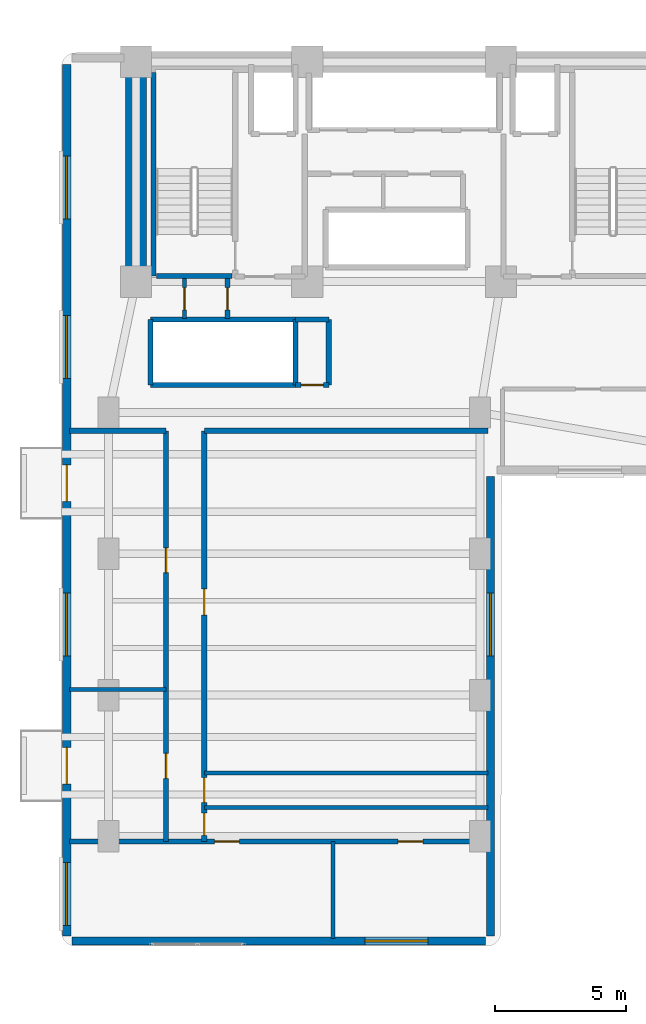
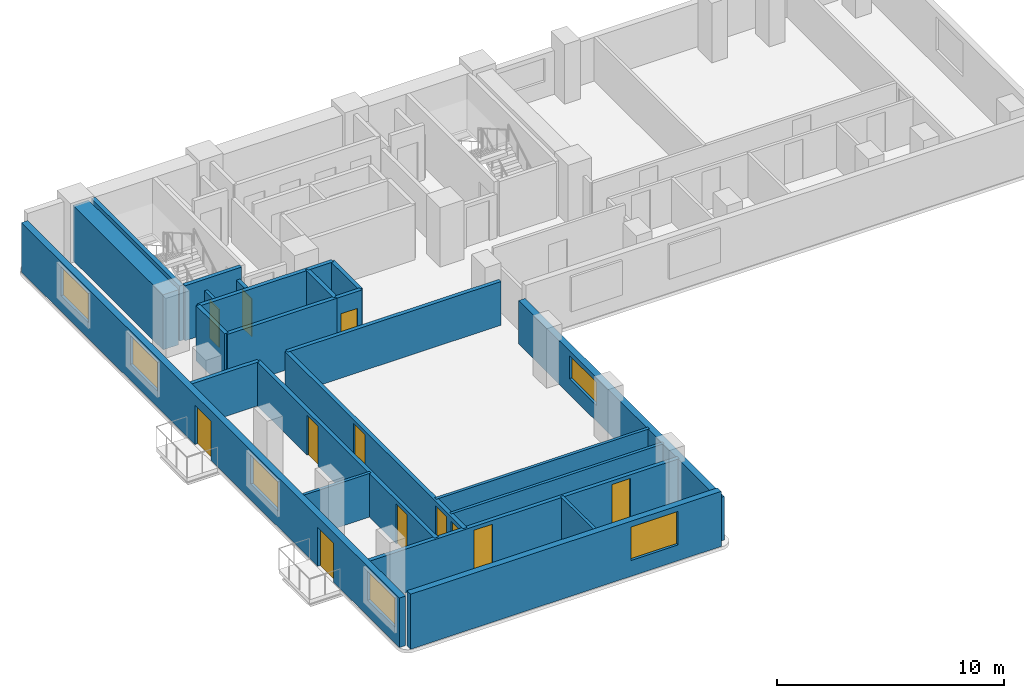
# One storey, part 8 of 15: 24 walls, 12 doors, 6 windows, 18 openings.
"""IFC4 building model written with IfcOpenShell, lengths in metres."""

import ifcopenshell
import ifcopenshell.guid

model = None  # the IFC model being written
_history = None  # IfcOwnerHistory: only IFC2X3 demands one
_inside = {}  # id of a spatial element -> (the spatial element, [elements in it])
_under = {}  # id of a project, library or spatial element -> (it, [spatial elements below it])
_declared = {}  # id of a project -> (the project, [libraries it declares])
_typed = {}  # id of a type object -> (the type object, [elements of that type])
_made_of = {}  # id of a material, layer set ... -> (it, [elements and type objects made of it])


def new_model(schema):
    """Start an empty IFC model of exactly this schema.

    Asked for "IFC4X3", IfcOpenShell would pick the latest addendum, in which some entities
    have other attributes; the version numbers below select the first issue.
    IFC2X3 requires an IfcOwnerHistory on every rooted entity: one is made here for all.
    """
    global model, _history
    if schema == "IFC4X3":
        model = ifcopenshell.file(schema_version=(4, 3, 0, 0))
    else:
        model = ifcopenshell.file(schema=schema)
    _inside.clear()
    _under.clear()
    _declared.clear()
    _typed.clear()
    _made_of.clear()
    _history = None
    if model.schema == "IFC2X3":
        org = make("IfcOrganization", Name="unknown")
        user = make(
            "IfcPersonAndOrganization",
            ThePerson=make("IfcPerson", FamilyName="unknown"),
            TheOrganization=org,
        )
        app = make(
            "IfcApplication",
            ApplicationDeveloper=org,
            Version="unknown",
            ApplicationFullName="unknown",
            ApplicationIdentifier="unknown",
        )
        _history = make(
            "IfcOwnerHistory",
            OwningUser=user,
            OwningApplication=app,
            ChangeAction="ADDED",
            CreationDate=0,
        )
    return model


def make(cls, **values):
    """One entity of the class cls with the attributes given. An attribute that is None is left unset."""
    return model.create_entity(
        cls, **{name: value for name, value in values.items() if value is not None}
    )


def rooted(cls, **values):
    """An entity with a GlobalId (a new one), such as an element, a storey or a relation."""
    return make(cls, GlobalId=ifcopenshell.guid.new(), OwnerHistory=_history, **values)


def si_unit(unit_type, name, prefix=None):
    """IfcSIUnit, for example si_unit("LENGTHUNIT", "METRE", prefix="MILLI")."""
    return make("IfcSIUnit", UnitType=unit_type, Prefix=prefix, Name=name)


def assignment(units):
    """IfcUnitAssignment: the units of a project."""
    return None if units is None else make("IfcUnitAssignment", Units=units)


def point(xyz):
    """IfcCartesianPoint."""
    return None if xyz is None else make("IfcCartesianPoint", Coordinates=xyz)


def direction(xyz):
    """IfcDirection."""
    return None if xyz is None else make("IfcDirection", DirectionRatios=xyz)


def frame(location, z_axis=None, x_axis=None):
    """IfcAxis2Placement3D, a coordinate frame: its origin and axes. An axis left out is left unset."""
    return make(
        "IfcAxis2Placement3D",
        Location=point(location),
        Axis=direction(z_axis),
        RefDirection=direction(x_axis),
    )


def frame_2d(location, x_axis=None):
    """IfcAxis2Placement2D, a coordinate frame in the plane: its origin and x axis."""
    return make(
        "IfcAxis2Placement2D", Location=point(location), RefDirection=direction(x_axis)
    )


def origin():
    """The frame at (0, 0, 0) with its axes left unset."""
    return frame((0.0, 0.0, 0.0))


def place(relative_to, where):
    """IfcLocalPlacement: puts the frame where relative to a parent placement (None: the world)."""
    return make(
        "IfcLocalPlacement", PlacementRelTo=relative_to, RelativePlacement=where
    )


def context(
    kind, dimensions, precision=None, world=None, true_north=None, identifier=None
):
    """IfcGeometricRepresentationContext, for example the 3D "Model" context."""
    return make(
        "IfcGeometricRepresentationContext",
        ContextIdentifier=identifier,
        ContextType=kind,
        CoordinateSpaceDimension=dimensions,
        Precision=precision,
        WorldCoordinateSystem=world,
        TrueNorth=true_north,
    )


def subcontext(parent, identifier, kind, view, scale=None):
    """IfcGeometricRepresentationSubContext, for example "Body" below "Model"."""
    return make(
        "IfcGeometricRepresentationSubContext",
        ContextIdentifier=identifier,
        ContextType=kind,
        ParentContext=parent,
        TargetScale=scale,
        TargetView=view,
    )


def project(units=None, contexts=None):
    """IfcProject with its units and contexts."""
    return rooted(
        "IfcProject",
        Name="project",
        RepresentationContexts=contexts,
        UnitsInContext=assignment(units),
    )


def spatial(cls, under=None, at=None, **own):
    """A site, building, storey or space (cls), placed at a placement, below another one or the project."""
    s = rooted(cls, ObjectPlacement=at, **own)
    if under is not None:
        _under.setdefault(under.id(), (under, []))[1].append(s)
    return s


def profile(cls, at=None, kind="AREA", **sizes):
    """A parametric profile (cls). Its sizes go by their IFC names, for example OverallWidth=200.0."""
    return make(cls, ProfileType=kind, Position=at, **sizes)


def rectangle(**sizes):
    """IfcRectangleProfileDef."""
    return profile("IfcRectangleProfileDef", **sizes)


def extrude(swept, where, along, depth):
    """IfcExtrudedAreaSolid: the profile swept, set in the frame where, extruded along a direction by depth."""
    return make(
        "IfcExtrudedAreaSolid",
        SweptArea=swept,
        Position=where,
        ExtrudedDirection=direction(along),
        Depth=depth,
    )


def shape(context_of_items, identifier, shape_type, items):
    """IfcShapeRepresentation: the items that make up one representation, for example the "Body"."""
    return make(
        "IfcShapeRepresentation",
        ContextOfItems=context_of_items,
        RepresentationIdentifier=identifier,
        RepresentationType=shape_type,
        Items=items,
    )


def material(Name=None, Category=None):
    """IfcMaterial."""
    return make("IfcMaterial", Name=Name, Category=Category)


def layer(
    of_material, thickness, ventilated=None, Name=None, Category=None, Priority=None
):
    """IfcMaterialLayer: one layer of a wall or slab, of a material (None: an air gap)."""
    return make(
        "IfcMaterialLayer",
        Material=of_material,
        LayerThickness=thickness,
        IsVentilated=ventilated,
        Name=Name,
        Category=Category,
        Priority=Priority,
    )


def layer_set(layers, Name=None):
    """IfcMaterialLayerSet."""
    return make("IfcMaterialLayerSet", MaterialLayers=layers, LayerSetName=Name)


def made_of(thing, what):
    """Note that an element or type object is made of a material, layer set ...; save() writes the relation."""
    if what is not None:
        _made_of.setdefault(what.id(), (what, []))[1].append(thing)
    return thing


def type_object(cls, material=None, **own):
    """A type object (cls), such as IfcWallType, which elements share."""
    return made_of(rooted(cls, **own), material)


def element(
    cls,
    number,
    at=None,
    inside=None,
    cuts=None,
    type_object=None,
    material=None,
    context=None,
    identifier="Body",
    shape_type=None,
    held_by="IfcProductDefinitionShape",
    body=None,
    shapes=None,
    **own,
):
    """One element of the class cls, such as IfcWall. Its Tag is "e" and its number.

    at: its placement. inside: the storey or other place that contains it. cuts: it is an
    opening in that element (IfcRelVoidsElement). A single representation is given by context,
    identifier, shape_type and body (its items); several are given by shapes. held_by: the class
    of the entity that holds the representations. save() writes the other relations.
    """
    e = rooted(cls, Tag="e%d" % number, ObjectPlacement=at, **own)
    if body is not None:
        shapes = [shape(context, identifier, shape_type, body)]
    if shapes is not None:
        e.Representation = make(held_by, Representations=shapes)
    if inside is not None:
        _inside.setdefault(inside.id(), (inside, []))[1].append(e)
    if cuts is not None:
        rooted(
            "IfcRelVoidsElement", RelatingBuildingElement=cuts, RelatedOpeningElement=e
        )
    if type_object is not None:
        _typed.setdefault(type_object.id(), (type_object, []))[1].append(e)
    return made_of(e, material)


def fill(opening, filler):
    """IfcRelFillsElement: the door or window that sits in an opening."""
    return rooted(
        "IfcRelFillsElement",
        RelatingOpeningElement=opening,
        RelatedBuildingElement=filler,
    )


def aggregate(whole, parts):
    """IfcRelAggregates: a whole, such as a stair, and the parts it consists of."""
    return rooted("IfcRelAggregates", RelatingObject=whole, RelatedObjects=parts)


def save(model, path):
    """Write the relations noted so far, then the file.

    IfcRelAggregates (storeys below a building ...), IfcRelContainedInSpatialStructure (elements
    in a storey), IfcRelDefinesByType, IfcRelAssociatesMaterial and IfcRelDeclares: one each for
    every whole, place, type object, material and project.
    """
    for whole, parts in _under.values():
        aggregate(whole, parts)
    for where, things in _inside.values():
        rooted(
            "IfcRelContainedInSpatialStructure",
            RelatedElements=things,
            RelatingStructure=where,
        )
    for kind, things in _typed.values():
        rooted("IfcRelDefinesByType", RelatedObjects=things, RelatingType=kind)
    for what, things in _made_of.values():
        rooted("IfcRelAssociatesMaterial", RelatedObjects=things, RelatingMaterial=what)
    for by, libraries in _declared.values():
        rooted("IfcRelDeclares", RelatingContext=by, RelatedDefinitions=libraries)
    model.write(path)


model = new_model("IFC4")

# Units and contexts
model_context = context("Model", 3, precision=1e-05, world=origin(), true_north=direction((0.0, 1.0)))
body_context = subcontext(model_context, "Body", "Model", "MODEL_VIEW")
ifc_project = project(units=[si_unit("LENGTHUNIT", "METRE"), si_unit("AREAUNIT", "SQUARE_METRE"), si_unit("VOLUMEUNIT", "CUBIC_METRE"), si_unit("PLANEANGLEUNIT", "RADIAN"), si_unit("MASSUNIT", "GRAM", prefix="KILO")], contexts=[model_context])

# Site, building, storey
site_placement = place(None, origin())
site = spatial("IfcSite", under=ifc_project, at=site_placement, CompositionType="ELEMENT")
building_placement = place(site_placement, origin())
building = spatial("IfcBuilding", under=site, at=building_placement, Name="Kuzgunbayir Cultural Tower", CompositionType="ELEMENT")
storey_placement = place(building_placement, frame((0.0, 0.0, 72.39990234375)))
storey = spatial("IfcBuildingStorey", under=building, at=storey_placement, Name="L20", CompositionType="ELEMENT", Elevation=72.39990234375)

# Wall
ifc_material_1 = material(Name="Concrete C60/75", Category="concrete")
ifc_layer_1 = layer(ifc_material_1, 0.800048828125)
ifc_layer_set_1 = layer_set([ifc_layer_1], Name="Concrete C60/75")
wall_type_1 = type_object("IfcWallType", Name="WAL-CORE-800", PredefinedType="SHEAR", material=ifc_layer_set_1)
wall_1_placement = place(storey_placement, frame((6.449951171875, 33.800048828125, 0.0), z_axis=(0.0, 0.0, 1.0), x_axis=(0.0, 1.0, 0.0)))
element("IfcWall", 1, at=wall_1_placement, inside=storey, type_object=wall_type_1, Name="L20 T1 Core West Shear Wall", PredefinedType="SHEAR", context=body_context, shape_type="SweptSolid", body=[
    extrude(rectangle(XDim=7.949951171875, YDim=0.800048828125, at=frame_2d((3.97509765625, 0.0))), origin(), (0.0, 0.0, 1.0), 2.960205078125),
])

# Wall, opening, window
ifc_material_2 = material(Name="Travertine Buff Ashlar", Category="masonry")
ifc_layer_2 = layer(ifc_material_2, 0.320068359375)
ifc_layer_set_2 = layer_set([ifc_layer_2], Name="Travertine Buff Ashlar")
wall_type_2 = type_object("IfcWallType", Name="WAL-EXT-STONE-320", PredefinedType="STANDARD", material=ifc_layer_set_2)
wall_2_placement = place(storey_placement, frame((4.0, 8.60009765625, 0.0), z_axis=(0.0, 0.0, 1.0), x_axis=(1.0, 0.0, 0.0)))
wall_2 = element("IfcWall", 2, at=wall_2_placement, inside=storey, type_object=wall_type_2, Name="L20 Wing A South Limestone Wall", PredefinedType="STANDARD", context=body_context, shape_type="SweptSolid", body=[
    extrude(rectangle(XDim=15.800048828125, YDim=0.320068359375, at=frame_2d((7.89990234375, 0.0))), origin(), (0.0, 0.0, 1.0), 2.960205078125),
])
opening_1_placement = place(wall_2_placement, frame((11.199951171875, 0.0, 0.85009765625)))
opening_1 = element("IfcOpeningElement", 3, at=opening_1_placement, cuts=wall_2, Name="Opening WO-24", PredefinedType="OPENING", context=body_context, shape_type="SweptSolid", body=[
    extrude(rectangle(XDim=2.39990234375, YDim=1.800048828125, at=frame_2d((1.199951171875, 0.89990234375))), frame((0.0, 0.169921875, 0.0), z_axis=(0.0, -1.0, 0.0), x_axis=(1.0, 0.0, 0.0)), (0.0, 0.0, 1.0), 0.340087890625),
])
ifc_material_3 = material(Name="Solar-Control Triple Glazing", Category="glass")
window_type = type_object("IfcWindowType", Name="WIN-OFFICE-24", PartitioningType="SINGLE_PANEL", PredefinedType="WINDOW", material=ifc_material_3)
window_1_placement = place(opening_1_placement, origin())
window_1 = element("IfcWindow", 4, at=window_1_placement, inside=storey, type_object=window_type, Name="L20 WAS Facade Window 10", OverallHeight=1.800048828125, OverallWidth=2.39990234375, PartitioningType="SINGLE_PANEL", PredefinedType="WINDOW", context=body_context, shape_type="SweptSolid", body=[
    extrude(rectangle(XDim=2.39990234375, YDim=1.800048828125, at=frame_2d((1.199951171875, 0.89990234375))), frame((0.0, 0.030029296875, 0.0), z_axis=(0.0, -1.0, 0.0), x_axis=(1.0, 0.0, 0.0)), (0.0, 0.0, 1.0), 0.06005859375),
])
fill(opening_1, window_1)

# Wall, openings, doors, windows
wall_3_placement = place(storey_placement, frame((3.800048828125, 42.10009765625, 0.0), z_axis=(0.0, 0.0, 1.0), x_axis=(0.0, -1.0, 0.0)))
wall_3 = element("IfcWall", 5, at=wall_3_placement, inside=storey, type_object=wall_type_2, Name="L20 Wing A West Limestone Wall", PredefinedType="STANDARD", context=body_context, shape_type="SweptSolid", body=[
    extrude(rectangle(XDim=33.300048828125, YDim=0.320068359375, at=frame_2d((16.64990234375, 0.0))), origin(), (0.0, 0.0, 1.0), 2.66015625),
])
opening_2_placement = place(wall_3_placement, frame((26.10009765625, 0.0, 0.0)))
opening_2 = element("IfcOpeningElement", 6, at=opening_2_placement, cuts=wall_3, Name="Opening BD-15", PredefinedType="OPENING", context=body_context, shape_type="SweptSolid", body=[
    extrude(rectangle(XDim=1.39990234375, YDim=2.10009765625, at=frame_2d((0.699951171875, 1.050048828125))), frame((0.0, 0.169921875, 0.0), z_axis=(0.0, -1.0, 0.0), x_axis=(1.0, 0.0, 0.0)), (0.0, 0.0, 1.0), 0.340087890625),
])
opening_3_placement = place(wall_3_placement, frame((15.300048828125, 0.0, 0.0)))
opening_3 = element("IfcOpeningElement", 7, at=opening_3_placement, cuts=wall_3, Name="Opening BD-15", PredefinedType="OPENING", context=body_context, shape_type="SweptSolid", body=[
    extrude(rectangle(XDim=1.39990234375, YDim=2.10009765625, at=frame_2d((0.699951171875, 1.050048828125))), frame((0.0, 0.169921875, 0.0), z_axis=(0.0, -1.0, 0.0), x_axis=(1.0, 0.0, 0.0)), (0.0, 0.0, 1.0), 0.340087890625),
])
opening_4_placement = place(wall_3_placement, frame((30.5, 0.0, 0.85009765625)))
opening_4 = element("IfcOpeningElement", 8, at=opening_4_placement, cuts=wall_3, Name="Opening WO-24", PredefinedType="OPENING", context=body_context, shape_type="SweptSolid", body=[
    extrude(rectangle(XDim=2.39990234375, YDim=1.56005859375, at=frame_2d((1.199951171875, 0.780029296875))), frame((0.0, 0.169921875, 0.0), z_axis=(0.0, -1.0, 0.0), x_axis=(1.0, 0.0, 0.0)), (0.0, 0.0, 1.0), 0.340087890625),
])
opening_5_placement = place(wall_3_placement, frame((20.199951171875, 0.0, 0.85009765625)))
opening_5 = element("IfcOpeningElement", 9, at=opening_5_placement, cuts=wall_3, Name="Opening WO-24", PredefinedType="OPENING", context=body_context, shape_type="SweptSolid", body=[
    extrude(rectangle(XDim=2.39990234375, YDim=1.56005859375, at=frame_2d((1.199951171875, 0.780029296875))), frame((0.0, 0.169921875, 0.0), z_axis=(0.0, -1.0, 0.0), x_axis=(1.0, 0.0, 0.0)), (0.0, 0.0, 1.0), 0.340087890625),
])
opening_6_placement = place(wall_3_placement, frame((9.60009765625, 0.0, 0.85009765625)))
opening_6 = element("IfcOpeningElement", 10, at=opening_6_placement, cuts=wall_3, Name="Opening WO-24", PredefinedType="OPENING", context=body_context, shape_type="SweptSolid", body=[
    extrude(rectangle(XDim=2.39990234375, YDim=1.56005859375, at=frame_2d((1.199951171875, 0.780029296875))), frame((0.0, 0.169921875, 0.0), z_axis=(0.0, -1.0, 0.0), x_axis=(1.0, 0.0, 0.0)), (0.0, 0.0, 1.0), 0.340087890625),
])
opening_7_placement = place(wall_3_placement, frame((3.5, 0.0, 0.85009765625)))
opening_7 = element("IfcOpeningElement", 11, at=opening_7_placement, cuts=wall_3, Name="Opening WO-24", PredefinedType="OPENING", context=body_context, shape_type="SweptSolid", body=[
    extrude(rectangle(XDim=2.39990234375, YDim=1.56005859375, at=frame_2d((1.199951171875, 0.780029296875))), frame((0.0, 0.169921875, 0.0), z_axis=(0.0, -1.0, 0.0), x_axis=(1.0, 0.0, 0.0)), (0.0, 0.0, 1.0), 0.340087890625),
])
ifc_material_4 = material(Name="Thermally Broken Glazed Aluminium", Category="aluminium")
door_type_1 = type_object("IfcDoorType", Name="DR-BALCONY-150", OperationType="SLIDING_TO_RIGHT", PredefinedType="DOOR", material=ifc_material_4)
door_1_placement = place(opening_2_placement, origin())
door_1 = element("IfcDoor", 12, at=door_1_placement, inside=storey, type_object=door_type_1, Name="L20 West Balcony Sliding Door BAL-L20-WA1", OperationType="SLIDING_TO_RIGHT", OverallHeight=2.10009765625, OverallWidth=1.39990234375, PredefinedType="DOOR", context=body_context, shape_type="SweptSolid", body=[
    extrude(rectangle(XDim=1.39990234375, YDim=2.10009765625, at=frame_2d((0.699951171875, 1.050048828125))), frame((0.0, 0.02490234375, 0.0), z_axis=(0.0, -1.0, 0.0), x_axis=(1.0, 0.0, 0.0)), (0.0, 0.0, 1.0), 0.050048828125),
])
fill(opening_2, door_1)
door_2_placement = place(opening_3_placement, origin())
door_2 = element("IfcDoor", 13, at=door_2_placement, inside=storey, type_object=door_type_1, Name="L20 West Balcony Sliding Door BAL-L20-WA3", OperationType="SLIDING_TO_RIGHT", OverallHeight=2.10009765625, OverallWidth=1.39990234375, PredefinedType="DOOR", context=body_context, shape_type="SweptSolid", body=[
    extrude(rectangle(XDim=1.39990234375, YDim=2.10009765625, at=frame_2d((0.699951171875, 1.050048828125))), frame((0.0, 0.02490234375, 0.0), z_axis=(0.0, -1.0, 0.0), x_axis=(1.0, 0.0, 0.0)), (0.0, 0.0, 1.0), 0.050048828125),
])
fill(opening_3, door_2)
window_2_placement = place(opening_4_placement, origin())
window_2 = element("IfcWindow", 14, at=window_2_placement, inside=storey, type_object=window_type, Name="L20 WAW Facade Window 5", OverallHeight=1.56005859375, OverallWidth=2.39990234375, PartitioningType="SINGLE_PANEL", PredefinedType="WINDOW", context=body_context, shape_type="SweptSolid", body=[
    extrude(rectangle(XDim=2.39990234375, YDim=1.56005859375, at=frame_2d((1.199951171875, 0.780029296875))), frame((0.0, 0.030029296875, 0.0), z_axis=(0.0, -1.0, 0.0), x_axis=(1.0, 0.0, 0.0)), (0.0, 0.0, 1.0), 0.06005859375),
])
fill(opening_4, window_2)
window_3_placement = place(opening_5_placement, origin())
window_3 = element("IfcWindow", 15, at=window_3_placement, inside=storey, type_object=window_type, Name="L20 WAW Facade Window 6", OverallHeight=1.56005859375, OverallWidth=2.39990234375, PartitioningType="SINGLE_PANEL", PredefinedType="WINDOW", context=body_context, shape_type="SweptSolid", body=[
    extrude(rectangle(XDim=2.39990234375, YDim=1.56005859375, at=frame_2d((1.199951171875, 0.780029296875))), frame((0.0, 0.030029296875, 0.0), z_axis=(0.0, -1.0, 0.0), x_axis=(1.0, 0.0, 0.0)), (0.0, 0.0, 1.0), 0.06005859375),
])
fill(opening_5, window_3)
window_4_placement = place(opening_6_placement, origin())
window_4 = element("IfcWindow", 16, at=window_4_placement, inside=storey, type_object=window_type, Name="L20 WAW Facade Window 7", OverallHeight=1.56005859375, OverallWidth=2.39990234375, PartitioningType="SINGLE_PANEL", PredefinedType="WINDOW", context=body_context, shape_type="SweptSolid", body=[
    extrude(rectangle(XDim=2.39990234375, YDim=1.56005859375, at=frame_2d((1.199951171875, 0.780029296875))), frame((0.0, 0.030029296875, 0.0), z_axis=(0.0, -1.0, 0.0), x_axis=(1.0, 0.0, 0.0)), (0.0, 0.0, 1.0), 0.06005859375),
])
fill(opening_6, window_4)
window_5_placement = place(opening_7_placement, origin())
window_5 = element("IfcWindow", 17, at=window_5_placement, inside=storey, type_object=window_type, Name="L20 WAW Facade Window 8", OverallHeight=1.56005859375, OverallWidth=2.39990234375, PartitioningType="SINGLE_PANEL", PredefinedType="WINDOW", context=body_context, shape_type="SweptSolid", body=[
    extrude(rectangle(XDim=2.39990234375, YDim=1.56005859375, at=frame_2d((1.199951171875, 0.780029296875))), frame((0.0, 0.030029296875, 0.0), z_axis=(0.0, -1.0, 0.0), x_axis=(1.0, 0.0, 0.0)), (0.0, 0.0, 1.0), 0.06005859375),
])
fill(opening_7, window_5)

# Wall, opening, window
wall_4_placement = place(storey_placement, frame((20.0, 8.800048828125, 0.0), z_axis=(0.0, 0.0, 1.0), x_axis=(0.0, 1.0, 0.0)))
wall_4 = element("IfcWall", 18, at=wall_4_placement, inside=storey, type_object=wall_type_2, Name="L20 Wing A East Limestone Wall", PredefinedType="STANDARD", context=body_context, shape_type="SweptSolid", body=[
    extrude(rectangle(XDim=17.550048828125, YDim=0.320068359375, at=frame_2d((8.77490234375, 0.0))), origin(), (0.0, 0.0, 1.0), 2.35009765625),
])
opening_8_placement = place(wall_4_placement, frame((10.699951171875, 0.0, 0.85009765625)))
opening_8 = element("IfcOpeningElement", 19, at=opening_8_placement, cuts=wall_4, Name="Opening WO-24", PredefinedType="OPENING", context=body_context, shape_type="SweptSolid", body=[
    extrude(rectangle(XDim=2.39990234375, YDim=1.25, at=frame_2d((1.199951171875, 0.625))), frame((0.0, 0.169921875, 0.0), z_axis=(0.0, -1.0, 0.0), x_axis=(1.0, 0.0, 0.0)), (0.0, 0.0, 1.0), 0.340087890625),
])
window_6_placement = place(opening_8_placement, origin())
window_6 = element("IfcWindow", 20, at=window_6_placement, inside=storey, type_object=window_type, Name="L20 WAE Facade Window 9", OverallHeight=1.25, OverallWidth=2.39990234375, PartitioningType="SINGLE_PANEL", PredefinedType="WINDOW", context=body_context, shape_type="SweptSolid", body=[
    extrude(rectangle(XDim=2.39990234375, YDim=1.25, at=frame_2d((1.199951171875, 0.625))), frame((0.0, 0.030029296875, 0.0), z_axis=(0.0, -1.0, 0.0), x_axis=(1.0, 0.0, 0.0)), (0.0, 0.0, 1.0), 0.06005859375),
])
fill(opening_8, window_6)

# Wall, opening, door
ifc_material_5 = material(Name="Acoustic Double-Stud Drywall", Category="gypsum")
ifc_layer_3 = layer(ifc_material_5, 0.14990234375)
ifc_layer_set_3 = layer_set([ifc_layer_3], Name="Acoustic Double-Stud Drywall")
wall_type_3 = type_object("IfcWallType", Name="WAL-PART-ACOUSTIC-150", PredefinedType="PARTITIONING", material=ifc_layer_set_3)
wall_5_placement = place(storey_placement, frame((8.300048828125, 32.39990234375, 0.0), z_axis=(0.0, 0.0, 1.0), x_axis=(0.0, 1.0, 0.0)))
wall_5 = element("IfcWall", 21, at=wall_5_placement, inside=storey, type_object=wall_type_3, Name="L20 West Core Closet Divider", PredefinedType="PARTITIONING", context=body_context, shape_type="SweptSolid", body=[
    extrude(rectangle(XDim=1.52001953125, YDim=0.14990234375, at=frame_2d((0.760009765625, 0.0))), origin(), (0.0, 0.0, 1.0), 2.35009765625),
])
opening_9_placement = place(wall_5_placement, frame((0.320068359375, 0.0, 0.0)))
opening_9 = element("IfcOpeningElement", 22, at=opening_9_placement, cuts=wall_5, Name="Opening DR-RSR-60", PredefinedType="OPENING", context=body_context, shape_type="SweptSolid", body=[
    extrude(rectangle(XDim=0.85009765625, YDim=2.050048828125, at=frame_2d((0.425048828125, 1.02490234375))), frame((0.0, 0.0849609375, 0.0), z_axis=(0.0, -1.0, 0.0), x_axis=(1.0, 0.0, 0.0)), (0.0, 0.0, 1.0), 0.169921875),
])
ifc_material_6 = material(Name="Steel Access Leaf", Category="steel")
door_type_2 = type_object("IfcDoorType", Name="DR-RISER-60", OperationType="NOTDEFINED", PredefinedType="DOOR", material=ifc_material_6)
door_3_placement = place(opening_9_placement, origin())
door_3 = element("IfcDoor", 23, at=door_3_placement, inside=storey, type_object=door_type_2, Name="L20 Sub-Meter Closet Door", OperationType="SINGLE_SWING_RIGHT", OverallHeight=2.050048828125, OverallWidth=0.85009765625, PredefinedType="DOOR", context=body_context, shape_type="SweptSolid", body=[
    extrude(rectangle(XDim=0.85009765625, YDim=2.050048828125, at=frame_2d((0.425048828125, 1.02490234375))), frame((0.0, 0.02490234375, 0.0), z_axis=(0.0, -1.0, 0.0), x_axis=(1.0, 0.0, 0.0)), (0.0, 0.0, 1.0), 0.050048828125),
])
fill(opening_9, door_3)

# Walls
wall_6_placement = place(storey_placement, frame((3.89990234375, 18.2099609375, 0.0), z_axis=(0.0, 0.0, 1.0), x_axis=(1.0, 0.0, 0.0)))
element("IfcWall", 24, at=wall_6_placement, inside=storey, type_object=wall_type_3, Name="L20 West Suite Partition 1", PredefinedType="PARTITIONING", context=body_context, shape_type="SweptSolid", body=[
    extrude(rectangle(XDim=3.7001953125, YDim=0.14990234375, at=frame_2d((1.85009765625, 0.0))), origin(), (0.0, 0.0, 1.0), 2.35009765625),
])
wall_7_placement = place(storey_placement, frame((13.97998046875, 8.699951171875, 0.0), z_axis=(0.0, 0.0, 1.0), x_axis=(0.0, 1.0, 0.0)))
element("IfcWall", 25, at=wall_7_placement, inside=storey, type_object=wall_type_3, Name="L20 South Suite Divider 1", PredefinedType="PARTITIONING", context=body_context, shape_type="SweptSolid", body=[
    extrude(rectangle(XDim=3.699951171875, YDim=0.14990234375, at=frame_2d((1.85009765625, 0.0))), origin(), (0.0, 0.0, 1.0), 2.35009765625),
])

# Wall, opening, door
ifc_material_7 = material(Name="Aerated Concrete Blockwork", Category="masonry")
ifc_layer_4 = layer(ifc_material_7, 0.199951171875)
ifc_layer_set_4 = layer_set([ifc_layer_4], Name="Aerated Concrete Blockwork")
wall_type_4 = type_object("IfcWallType", Name="WAL-PART-FIRE-200", PredefinedType="PARTITIONING", material=ifc_layer_set_4)
wall_8_placement = place(storey_placement, frame((9.949951171875, 32.39990234375, 0.0), z_axis=(0.0, 0.0, 1.0), x_axis=(0.0, 1.0, 0.0)))
wall_8 = element("IfcWall", 26, at=wall_8_placement, inside=storey, type_object=wall_type_4, Name="L20 West Core Service Closet Wall", PredefinedType="PARTITIONING", context=body_context, shape_type="SweptSolid", body=[
    extrude(rectangle(XDim=1.52001953125, YDim=0.199951171875, at=frame_2d((0.760009765625, 0.0))), origin(), (0.0, 0.0, 1.0), 2.35009765625),
])
opening_10_placement = place(wall_8_placement, frame((0.320068359375, 0.0, 0.0)))
opening_10 = element("IfcOpeningElement", 27, at=opening_10_placement, cuts=wall_8, Name="Opening DR-RSR-60", PredefinedType="OPENING", context=body_context, shape_type="SweptSolid", body=[
    extrude(rectangle(XDim=0.85009765625, YDim=2.050048828125, at=frame_2d((0.425048828125, 1.02490234375))), frame((0.0, 0.10986328125, 0.0), z_axis=(0.0, -1.0, 0.0), x_axis=(1.0, 0.0, 0.0)), (0.0, 0.0, 1.0), 0.219970703125),
])
door_4_placement = place(opening_10_placement, origin())
door_4 = element("IfcDoor", 28, at=door_4_placement, inside=storey, type_object=door_type_2, Name="L20 Cleaner Store Door", OperationType="SINGLE_SWING_LEFT", OverallHeight=2.050048828125, OverallWidth=0.85009765625, PredefinedType="DOOR", context=body_context, shape_type="SweptSolid", body=[
    extrude(rectangle(XDim=0.85009765625, YDim=2.050048828125, at=frame_2d((0.425048828125, 1.02490234375))), frame((0.0, 0.02490234375, 0.0), z_axis=(0.0, -1.0, 0.0), x_axis=(1.0, 0.0, 0.0)), (0.0, 0.0, 1.0), 0.050048828125),
])
fill(opening_10, door_4)

wall_9_placement = place(storey_placement, frame((12.550048828125, 29.85009765625, 0.0), z_axis=(0.0, 0.0, 1.0), x_axis=(1.0, 0.0, 0.0)))
wall_9 = element("IfcWall", 29, at=wall_9_placement, inside=storey, type_object=wall_type_4, Name="L20 Center Core Switchgear South Wall", PredefinedType="PARTITIONING", context=body_context, shape_type="SweptSolid", body=[
    extrude(rectangle(XDim=1.27001953125, YDim=0.199951171875, at=frame_2d((0.635009765625, 0.0))), origin(), (0.0, 0.0, 1.0), 2.960205078125),
])
opening_11_placement = place(wall_9_placement, frame((0.2099609375, 0.0, 0.0)))
opening_11 = element("IfcOpeningElement", 30, at=opening_11_placement, cuts=wall_9, Name="Opening DR-RSR-60", PredefinedType="OPENING", context=body_context, shape_type="SweptSolid", body=[
    extrude(rectangle(XDim=0.85009765625, YDim=2.050048828125, at=frame_2d((0.425048828125, 1.02490234375))), frame((0.0, 0.10986328125, 0.0), z_axis=(0.0, -1.0, 0.0), x_axis=(1.0, 0.0, 0.0)), (0.0, 0.0, 1.0), 0.219970703125),
])
door_5_placement = place(opening_11_placement, origin())
door_5 = element("IfcDoor", 31, at=door_5_placement, inside=storey, type_object=door_type_2, Name="L20 Telecom Closet Door", OperationType="SINGLE_SWING_LEFT", OverallHeight=2.050048828125, OverallWidth=0.85009765625, PredefinedType="DOOR", context=body_context, shape_type="SweptSolid", body=[
    extrude(rectangle(XDim=0.85009765625, YDim=2.050048828125, at=frame_2d((0.425048828125, 1.02490234375))), frame((0.0, 0.02490234375, 0.0), z_axis=(0.0, -1.0, 0.0), x_axis=(1.0, 0.0, 0.0)), (0.0, 0.0, 1.0), 0.050048828125),
])
fill(opening_11, door_5)

# Walls
wall_10_placement = place(storey_placement, frame((13.820068359375, 29.85009765625, 0.0), z_axis=(0.0, 0.0, 1.0), x_axis=(0.0, 1.0, 0.0)))
element("IfcWall", 32, at=wall_10_placement, inside=storey, type_object=wall_type_4, Name="L20 Center Core Switchgear East Wall", PredefinedType="PARTITIONING", context=body_context, shape_type="SweptSolid", body=[
    extrude(rectangle(XDim=2.5, YDim=0.199951171875, at=frame_2d((1.25, 0.0))), origin(), (0.0, 0.0, 1.0), 2.960205078125),
])
wall_11_placement = place(storey_placement, frame((12.550048828125, 32.35009765625, 0.0), z_axis=(0.0, 0.0, 1.0), x_axis=(1.0, 0.0, 0.0)))
element("IfcWall", 33, at=wall_11_placement, inside=storey, type_object=wall_type_4, Name="L20 Center Core Switchgear North Wall", PredefinedType="PARTITIONING", context=body_context, shape_type="SweptSolid", body=[
    extrude(rectangle(XDim=1.27001953125, YDim=0.199951171875, at=frame_2d((0.635009765625, 0.0))), origin(), (0.0, 0.0, 1.0), 2.960205078125),
])

# Wall, openings, doors
wall_12_placement = place(storey_placement, frame((7.60009765625, 12.39990234375, 0.0), z_axis=(0.0, 0.0, 1.0), x_axis=(0.0, 1.0, 0.0)))
wall_12 = element("IfcWall", 34, at=wall_12_placement, inside=storey, type_object=wall_type_4, Name="L20 Wing A West Corridor Wall", PredefinedType="PARTITIONING", context=body_context, shape_type="SweptSolid", body=[
    extrude(rectangle(XDim=15.7001953125, YDim=0.199951171875, at=frame_2d((7.85009765625, 0.0))), origin(), (0.0, 0.0, 1.0), 2.35009765625),
])
opening_12_placement = place(wall_12_placement, frame((2.419921875, 0.0, 0.0)))
opening_12 = element("IfcOpeningElement", 35, at=opening_12_placement, cuts=wall_12, Name="Opening DI-90", PredefinedType="OPENING", context=body_context, shape_type="SweptSolid", body=[
    extrude(rectangle(XDim=0.949951171875, YDim=2.14990234375, at=frame_2d((0.47509765625, 1.074951171875))), frame((0.0, 0.10986328125, 0.0), z_axis=(0.0, -1.0, 0.0), x_axis=(1.0, 0.0, 0.0)), (0.0, 0.0, 1.0), 0.219970703125),
])
opening_13_placement = place(wall_12_placement, frame((10.280029296875, 0.0, 0.0)))
opening_13 = element("IfcOpeningElement", 36, at=opening_13_placement, cuts=wall_12, Name="Opening DI-90", PredefinedType="OPENING", context=body_context, shape_type="SweptSolid", body=[
    extrude(rectangle(XDim=0.949951171875, YDim=2.14990234375, at=frame_2d((0.47509765625, 1.074951171875))), frame((0.0, 0.10986328125, 0.0), z_axis=(0.0, -1.0, 0.0), x_axis=(1.0, 0.0, 0.0)), (0.0, 0.0, 1.0), 0.219970703125),
])
ifc_material_8 = material(Name="Veneered Oak Single Leaf", Category="wood")
door_type_3 = type_object("IfcDoorType", Name="DR-INT-90", OperationType="NOTDEFINED", PredefinedType="DOOR", material=ifc_material_8)
door_6_placement = place(opening_12_placement, origin())
door_6 = element("IfcDoor", 37, at=door_6_placement, inside=storey, type_object=door_type_3, Name="L20 Wellness Consultation Studio W1 Door", OperationType="SINGLE_SWING_RIGHT", OverallHeight=2.14990234375, OverallWidth=0.949951171875, PredefinedType="DOOR", context=body_context, shape_type="SweptSolid", body=[
    extrude(rectangle(XDim=0.949951171875, YDim=2.14990234375, at=frame_2d((0.47509765625, 1.074951171875))), frame((0.0, 0.02490234375, 0.0), z_axis=(0.0, -1.0, 0.0), x_axis=(1.0, 0.0, 0.0)), (0.0, 0.0, 1.0), 0.050048828125),
])
fill(opening_12, door_6)
door_7_placement = place(opening_13_placement, origin())
door_7 = element("IfcDoor", 38, at=door_7_placement, inside=storey, type_object=door_type_3, Name="L20 Culinary Tasting Pantry W2 Door", OperationType="SINGLE_SWING_LEFT", OverallHeight=2.14990234375, OverallWidth=0.949951171875, PredefinedType="DOOR", context=body_context, shape_type="SweptSolid", body=[
    extrude(rectangle(XDim=0.949951171875, YDim=2.14990234375, at=frame_2d((0.47509765625, 1.074951171875))), frame((0.0, 0.02490234375, 0.0), z_axis=(0.0, -1.0, 0.0), x_axis=(1.0, 0.0, 0.0)), (0.0, 0.0, 1.0), 0.050048828125),
])
fill(opening_13, door_7)

wall_13_placement = place(storey_placement, frame((9.06005859375, 12.39990234375, 0.0), z_axis=(0.0, 0.0, 1.0), x_axis=(0.0, 1.0, 0.0)))
wall_13 = element("IfcWall", 39, at=wall_13_placement, inside=storey, type_object=wall_type_4, Name="L20 Wing A East Corridor Wall", PredefinedType="PARTITIONING", context=body_context, shape_type="SweptSolid", body=[
    extrude(rectangle(XDim=15.7001953125, YDim=0.199951171875, at=frame_2d((7.85009765625, 0.0))), origin(), (0.0, 0.0, 1.0), 2.35009765625),
])
opening_14_placement = place(wall_13_placement, frame((0.239990234375, 0.0, 0.0)))
opening_14 = element("IfcOpeningElement", 40, at=opening_14_placement, cuts=wall_13, Name="Opening DW-85", PredefinedType="OPENING", context=body_context, shape_type="SweptSolid", body=[
    extrude(rectangle(XDim=0.85009765625, YDim=2.10009765625, at=frame_2d((0.425048828125, 1.050048828125))), frame((0.0, 0.10986328125, 0.0), z_axis=(0.0, -1.0, 0.0), x_axis=(1.0, 0.0, 0.0)), (0.0, 0.0, 1.0), 0.219970703125),
])
opening_15_placement = place(wall_13_placement, frame((1.489990234375, 0.0, 0.0)))
opening_15 = element("IfcOpeningElement", 41, at=opening_15_placement, cuts=wall_13, Name="Opening DW-95", PredefinedType="OPENING", context=body_context, shape_type="SweptSolid", body=[
    extrude(rectangle(XDim=0.949951171875, YDim=2.10009765625, at=frame_2d((0.47509765625, 1.050048828125))), frame((0.0, 0.10986328125, 0.0), z_axis=(0.0, -1.0, 0.0), x_axis=(1.0, 0.0, 0.0)), (0.0, 0.0, 1.0), 0.219970703125),
])
opening_16_placement = place(wall_13_placement, frame((8.659912109375, 0.0, 0.0)))
opening_16 = element("IfcOpeningElement", 42, at=opening_16_placement, cuts=wall_13, Name="Opening DI-100", PredefinedType="OPENING", context=body_context, shape_type="SweptSolid", body=[
    extrude(rectangle(XDim=1.0, YDim=2.14990234375, at=frame_2d((0.5, 1.074951171875))), frame((0.0, 0.10986328125, 0.0), z_axis=(0.0, -1.0, 0.0), x_axis=(1.0, 0.0, 0.0)), (0.0, 0.0, 1.0), 0.219970703125),
])
door_type_4 = type_object("IfcDoorType", Name="DR-INT-100", OperationType="NOTDEFINED", PredefinedType="DOOR", material=ifc_material_8)
door_8_placement = place(opening_16_placement, origin())
door_8 = element("IfcDoor", 43, at=door_8_placement, inside=storey, type_object=door_type_4, Name="L20 East Art Publication Salon 1 Door", OperationType="SINGLE_SWING_RIGHT", OverallHeight=2.14990234375, OverallWidth=1.0, PredefinedType="DOOR", context=body_context, shape_type="SweptSolid", body=[
    extrude(rectangle(XDim=1.0, YDim=2.14990234375, at=frame_2d((0.5, 1.074951171875))), frame((0.0, 0.02490234375, 0.0), z_axis=(0.0, -1.0, 0.0), x_axis=(1.0, 0.0, 0.0)), (0.0, 0.0, 1.0), 0.050048828125),
])
fill(opening_16, door_8)
ifc_material_9 = material(Name="Laminate Moisture-Resistant Leaf", Category="wood")
door_type_5 = type_object("IfcDoorType", Name="DR-WET-85", OperationType="NOTDEFINED", PredefinedType="DOOR", material=ifc_material_9)
door_9_placement = place(opening_14_placement, origin())
door_9 = element("IfcDoor", 44, at=door_9_placement, inside=storey, type_object=door_type_5, Name="L20 Restroom Door", OperationType="SINGLE_SWING_RIGHT", OverallHeight=2.10009765625, OverallWidth=0.85009765625, PredefinedType="DOOR", context=body_context, shape_type="SweptSolid", body=[
    extrude(rectangle(XDim=0.85009765625, YDim=2.10009765625, at=frame_2d((0.425048828125, 1.050048828125))), frame((0.0, 0.02490234375, 0.0), z_axis=(0.0, -1.0, 0.0), x_axis=(1.0, 0.0, 0.0)), (0.0, 0.0, 1.0), 0.050048828125),
])
fill(opening_14, door_9)
door_type_6 = type_object("IfcDoorType", Name="DR-WET-95", OperationType="NOTDEFINED", PredefinedType="DOOR", material=ifc_material_9)
door_10_placement = place(opening_15_placement, origin())
door_10 = element("IfcDoor", 45, at=door_10_placement, inside=storey, type_object=door_type_6, Name="L20 Accessible WC Door", OperationType="SINGLE_SWING_LEFT", OverallHeight=2.10009765625, OverallWidth=0.949951171875, PredefinedType="DOOR", context=body_context, shape_type="SweptSolid", body=[
    extrude(rectangle(XDim=0.949951171875, YDim=2.10009765625, at=frame_2d((0.47509765625, 1.050048828125))), frame((0.0, 0.02490234375, 0.0), z_axis=(0.0, -1.0, 0.0), x_axis=(1.0, 0.0, 0.0)), (0.0, 0.0, 1.0), 0.050048828125),
])
fill(opening_15, door_10)

wall_14_placement = place(storey_placement, frame((3.89990234375, 12.39990234375, 0.0), z_axis=(0.0, 0.0, 1.0), x_axis=(1.0, 0.0, 0.0)))
wall_14 = element("IfcWall", 46, at=wall_14_placement, inside=storey, type_object=wall_type_4, Name="L20 South Cross Partition", PredefinedType="PARTITIONING", context=body_context, shape_type="SweptSolid", body=[
    extrude(rectangle(XDim=16.0, YDim=0.199951171875, at=frame_2d((8.0, 0.0))), origin(), (0.0, 0.0, 1.0), 2.35009765625),
])
opening_17_placement = place(wall_14_placement, frame((5.550048828125, 0.0, 0.0)))
opening_17 = element("IfcOpeningElement", 47, at=opening_17_placement, cuts=wall_14, Name="Opening DI-90", PredefinedType="OPENING", context=body_context, shape_type="SweptSolid", body=[
    extrude(rectangle(XDim=0.949951171875, YDim=2.14990234375, at=frame_2d((0.47509765625, 1.074951171875))), frame((0.0, 0.10986328125, 0.0), z_axis=(0.0, -1.0, 0.0), x_axis=(1.0, 0.0, 0.0)), (0.0, 0.0, 1.0), 0.219970703125),
])
opening_18_placement = place(wall_14_placement, frame((12.56005859375, 0.0, 0.0)))
opening_18 = element("IfcOpeningElement", 48, at=opening_18_placement, cuts=wall_14, Name="Opening DI-90", PredefinedType="OPENING", context=body_context, shape_type="SweptSolid", body=[
    extrude(rectangle(XDim=0.949951171875, YDim=2.14990234375, at=frame_2d((0.47509765625, 1.074951171875))), frame((0.0, 0.10986328125, 0.0), z_axis=(0.0, -1.0, 0.0), x_axis=(1.0, 0.0, 0.0)), (0.0, 0.0, 1.0), 0.219970703125),
])
door_11_placement = place(opening_17_placement, origin())
door_11 = element("IfcDoor", 49, at=door_11_placement, inside=storey, type_object=door_type_3, Name="L20 South Suite S1 Door", OperationType="SINGLE_SWING_RIGHT", OverallHeight=2.14990234375, OverallWidth=0.949951171875, PredefinedType="DOOR", context=body_context, shape_type="SweptSolid", body=[
    extrude(rectangle(XDim=0.949951171875, YDim=2.14990234375, at=frame_2d((0.47509765625, 1.074951171875))), frame((0.0, 0.02490234375, 0.0), z_axis=(0.0, -1.0, 0.0), x_axis=(1.0, 0.0, 0.0)), (0.0, 0.0, 1.0), 0.050048828125),
])
fill(opening_17, door_11)
door_12_placement = place(opening_18_placement, origin())
door_12 = element("IfcDoor", 50, at=door_12_placement, inside=storey, type_object=door_type_3, Name="L20 South Suite S2 Door", OperationType="SINGLE_SWING_LEFT", OverallHeight=2.14990234375, OverallWidth=0.949951171875, PredefinedType="DOOR", context=body_context, shape_type="SweptSolid", body=[
    extrude(rectangle(XDim=0.949951171875, YDim=2.14990234375, at=frame_2d((0.47509765625, 1.074951171875))), frame((0.0, 0.02490234375, 0.0), z_axis=(0.0, -1.0, 0.0), x_axis=(1.0, 0.0, 0.0)), (0.0, 0.0, 1.0), 0.050048828125),
])
fill(opening_18, door_12)

# Walls
wall_15_placement = place(storey_placement, frame((3.89990234375, 28.10009765625, 0.0), z_axis=(0.0, 0.0, 1.0), x_axis=(1.0, 0.0, 0.0)))
element("IfcWall", 51, at=wall_15_placement, inside=storey, type_object=wall_type_4, Name="L20 North West Partition", PredefinedType="PARTITIONING", context=body_context, shape_type="SweptSolid", body=[
    extrude(rectangle(XDim=3.7001953125, YDim=0.199951171875, at=frame_2d((1.85009765625, 0.0))), origin(), (0.0, 0.0, 1.0), 2.35009765625),
])
wall_16_placement = place(storey_placement, frame((9.06005859375, 28.10009765625, 0.0), z_axis=(0.0, 0.0, 1.0), x_axis=(1.0, 0.0, 0.0)))
element("IfcWall", 52, at=wall_16_placement, inside=storey, type_object=wall_type_4, Name="L20 North East Partition", PredefinedType="PARTITIONING", context=body_context, shape_type="SweptSolid", body=[
    extrude(rectangle(XDim=10.83984375, YDim=0.199951171875, at=frame_2d((5.419921875, 0.0))), origin(), (0.0, 0.0, 1.0), 2.35009765625),
])
ifc_material_10 = material(Name="Moisture-Resistant Tile Partition", Category="gypsum")
ifc_layer_5 = layer(ifc_material_10, 0.14990234375)
ifc_layer_set_5 = layer_set([ifc_layer_5], Name="Moisture-Resistant Tile Partition")
wall_type_5 = type_object("IfcWallType", Name="WAL-PART-WET-150", PredefinedType="PARTITIONING", material=ifc_layer_set_5)
for number, where, z_axis, x_axis, name in (
    (53, (9.06005859375, 13.7099609375, 0.0), (0.0, 0.0, 1.0), (1.0, 0.0, 0.0), "L20 WC North Wall"),
    (54, (9.06005859375, 15.02001953125, 0.0), (0.0, 0.0, 1.0), (1.0, 0.0, 0.0), "L20 Accessible WC North Wall"),
):
    element("IfcWall", number, at=place(storey_placement, frame(where, z_axis=z_axis, x_axis=x_axis)), inside=storey, type_object=wall_type_5, Name=name, PredefinedType="PARTITIONING", context=body_context, shape_type="SweptSolid", body=[
        extrude(rectangle(XDim=10.83984375, YDim=0.14990234375, at=frame_2d((5.419921875, 0.0))), origin(), (0.0, 0.0, 1.0), 2.35009765625),
    ])
ifc_material_11 = material(Name="Concrete C40/50", Category="concrete")
ifc_layer_6 = layer(ifc_material_11, 0.199951171875)
ifc_layer_set_6 = layer_set([ifc_layer_6], Name="Concrete C40/50")
wall_type_6 = type_object("IfcWallType", Name="WAL-SHAFT-200", PredefinedType="MOVABLE", material=ifc_layer_set_6)
for number, where, z_axis, x_axis, name in (
    (55, (7.0, 29.85009765625, 0.0), (0.0, 0.0, 1.0), (1.0, 0.0, 0.0), "L20 High-Rise Lift Shaft South Wall"),
    (56, (7.0, 32.35009765625, 0.0), (0.0, 0.0, 1.0), (1.0, 0.0, 0.0), "L20 High-Rise Lift Shaft North Wall"),
):
    element("IfcWall", number, at=place(storey_placement, frame(where, z_axis=z_axis, x_axis=x_axis)), inside=storey, type_object=wall_type_6, Name=name, PredefinedType="MOVABLE", context=body_context, shape_type="SweptSolid", body=[
        extrude(rectangle(XDim=5.550048828125, YDim=0.199951171875, at=frame_2d((2.77490234375, 0.0))), origin(), (0.0, 0.0, 1.0), 2.960205078125),
    ])
for number, where, z_axis, x_axis, name in (
    (57, (7.0, 29.85009765625, 0.0), (0.0, 0.0, 1.0), (0.0, 1.0, 0.0), "L20 High-Rise Lift Shaft West Wall"),
    (58, (12.550048828125, 29.85009765625, 0.0), (0.0, 0.0, 1.0), (0.0, 1.0, 0.0), "L20 High-Rise Lift Shaft East Wall"),
):
    element("IfcWall", number, at=place(storey_placement, frame(where, z_axis=z_axis, x_axis=x_axis)), inside=storey, type_object=wall_type_6, Name=name, PredefinedType="MOVABLE", context=body_context, shape_type="SweptSolid", body=[
        extrude(rectangle(XDim=2.5, YDim=0.199951171875, at=frame_2d((1.25, 0.0))), origin(), (0.0, 0.0, 1.0), 2.960205078125),
    ])
ifc_layer_7 = layer(ifc_material_11, 0.199951171875)
ifc_layer_set_7 = layer_set([ifc_layer_7], Name="Concrete C40/50")
wall_type_7 = type_object("IfcWallType", Name="WAL-STAIR-RC-200", PredefinedType="SHEAR", material=ifc_layer_set_7)
wall_17_placement = place(storey_placement, frame((7.1201171875, 34.02001953125, 0.0), z_axis=(0.0, 0.0, 1.0), x_axis=(0.0, 1.0, 0.0)))
element("IfcWall", 59, at=wall_17_placement, inside=storey, type_object=wall_type_7, Name="L20 Stair ST-1 West Structural Wall", PredefinedType="SHEAR", context=body_context, shape_type="SweptSolid", body=[
    extrude(rectangle(XDim=7.780029296875, YDim=0.199951171875, at=frame_2d((3.89013671875, 0.0))), origin(), (0.0, 0.0, 1.0), 2.960205078125),
])
wall_18_placement = place(storey_placement, frame((7.239990234375, 34.02001953125, 0.0), z_axis=(0.0, 0.0, 1.0), x_axis=(1.0, 0.0, 0.0)))
element("IfcWall", 60, at=wall_18_placement, inside=storey, type_object=wall_type_7, Name="L20 Stair ST-1 South Structural Wall", PredefinedType="SHEAR", context=body_context, shape_type="SweptSolid", body=[
    extrude(rectangle(XDim=2.880126953125, YDim=0.199951171875, at=frame_2d((1.43994140625, 0.0))), origin(), (0.0, 0.0, 1.0), 2.960205078125),
])

save(model, "model.ifc")
